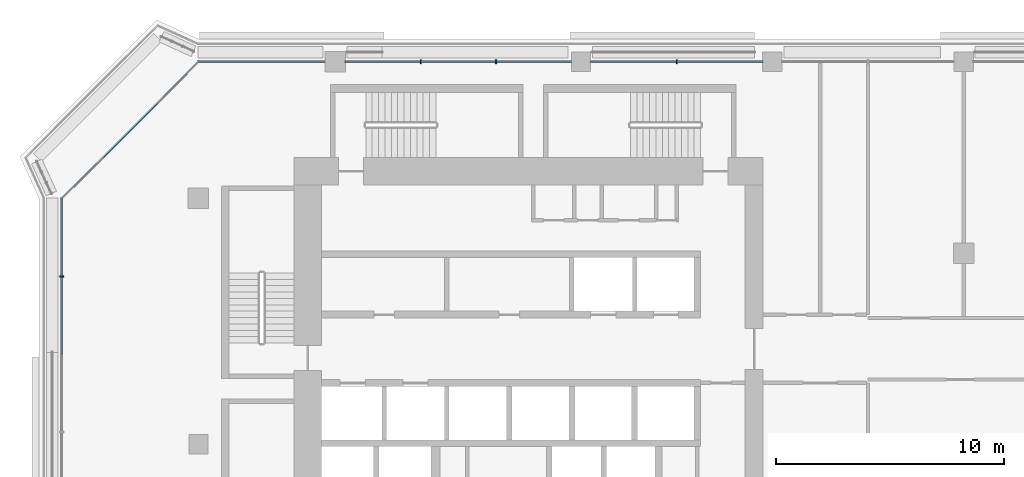
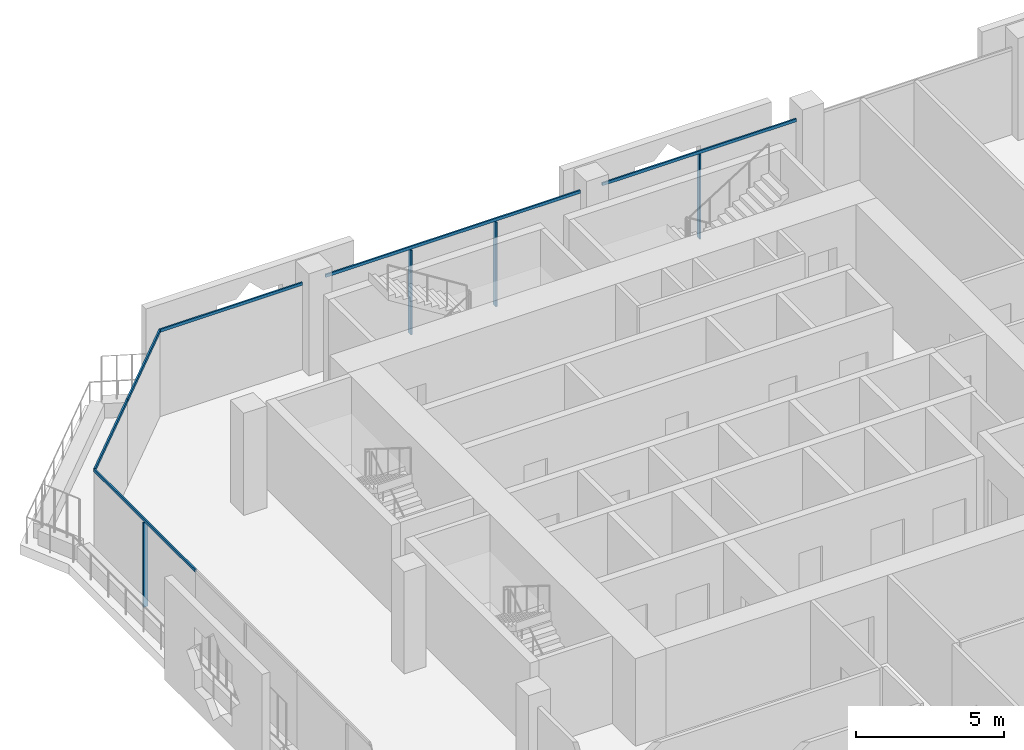
# One storey, part 5 of 21: 10 members, 3 elements without a shape of their own.
"""IFC4 building model written with IfcOpenShell, lengths in metres."""

from ifc_helpers import new_model, si_unit, direction, frame, origin, origin_2d, place, context, subcontext, project, spatial, rectangle, extrude, material, layer, layer_set, material_profile, profile_set, type_object, element, aggregate, save


model = new_model("IFC4")

# Units and contexts
model_context = context("Model", 3, precision=1e-05, world=origin(), true_north=direction((0.0, 1.0)))
body_context = subcontext(model_context, "Body", "Model", "MODEL_VIEW")
ifc_project = project(units=[si_unit("LENGTHUNIT", "METRE"), si_unit("AREAUNIT", "SQUARE_METRE"), si_unit("VOLUMEUNIT", "CUBIC_METRE"), si_unit("PLANEANGLEUNIT", "RADIAN"), si_unit("MASSUNIT", "GRAM", prefix="KILO")], contexts=[model_context])

# Site, building, storey
site_placement = place(None, origin())
site = spatial("IfcSite", under=ifc_project, at=site_placement, CompositionType="ELEMENT")
building_placement = place(site_placement, origin())
building = spatial("IfcBuilding", under=site, at=building_placement, Name="Kawkab Arch Medical Tower", CompositionType="ELEMENT")
storey_placement = place(building_placement, frame((0.0, 0.0, 234.800048828125)))
storey = spatial("IfcBuildingStorey", under=building, at=storey_placement, Name="L54", CompositionType="ELEMENT", Elevation=234.800048828125)

# Curtain wall, member
ifc_material_1 = material(Name="Bronze anodised aluminium curtain wall frame", Category="aluminium")
ifc_layer_1 = layer(ifc_material_1, 0.159912109375)
ifc_layer_set_1 = layer_set([ifc_layer_1], Name="Bronze anodised aluminium curtain wall frame")
curtain_wall_type_1 = type_object("IfcCurtainWallType", Name="CW1 ward curtain wall", PredefinedType="NOTDEFINED", material=ifc_layer_set_1)
placement = place(storey_placement, origin())
curtain_wall_1 = element("IfcCurtainWall", 1, at=placement, inside=storey, type_object=curtain_wall_type_1, Name="CW1 Ward curtain wall R01", PredefinedType="NOTDEFINED")
ifc_material_2 = material(Name="Bronze anodised aluminium curtain wall frame", Category="aluminium")
ifc_material_profile_1 = material_profile(ifc_material_2, rectangle(XDim=0.179931640625, YDim=0.06005859375, at=origin_2d()), Name="AL 60x180")
ifc_profile_set_1 = profile_set([ifc_material_profile_1], Name="Bronze anodised aluminium curtain wall frame")
member_type_1 = type_object("IfcMemberType", Name="CW1 mullion 60 x 180", PredefinedType="MULLION", material=ifc_profile_set_1)
member_1_placement = place(storey_placement, frame((-6.0, -9.419921875, 0.0), z_axis=(0.0, 0.0, 1.0), x_axis=(1.0, 0.0, 0.0)))
member_1 = element("IfcMember", 2, at=member_1_placement, type_object=member_type_1, Name="CW1 mullion 1.1", PredefinedType="MULLION", context=body_context, shape_type="SweptSolid", body=[
    extrude(rectangle(XDim=0.179931640625, YDim=0.06005859375, at=origin_2d()), origin(), (0.0, 0.0, 1.0), 3.47998046875),
])

# Curtain wall, members
curtain_wall_2 = element("IfcCurtainWall", 3, at=placement, inside=storey, type_object=curtain_wall_type_1, Name="CW1 Ward curtain wall R11", PredefinedType="NOTDEFINED")
member_2_placement = place(storey_placement, frame((21.0, 0.0, 0.0), z_axis=(0.0, 0.0, 1.0), x_axis=(0.0, -1.0, 0.0)))
member_2 = element("IfcMember", 4, at=member_2_placement, type_object=member_type_1, Name="CW1 mullion 5.1", PredefinedType="MULLION", context=body_context, shape_type="SweptSolid", body=[
    extrude(rectangle(XDim=0.179931640625, YDim=0.06005859375, at=origin_2d()), origin(), (0.0, 0.0, 1.0), 3.47998046875),
])
member_3_placement = place(storey_placement, frame((13.066650390625, 0.0, 0.0), z_axis=(0.0, 0.0, 1.0), x_axis=(0.0, -1.0, 0.0)))
member_3 = element("IfcMember", 5, at=member_3_placement, type_object=member_type_1, Name="CW1 mullion 6.1", PredefinedType="MULLION", context=body_context, shape_type="SweptSolid", body=[
    extrude(rectangle(XDim=0.179931640625, YDim=0.06005859375, at=origin_2d()), origin(), (0.0, 0.0, 1.0), 3.47998046875),
])
member_4_placement = place(storey_placement, frame((9.75830078125, 0.0, 0.0), z_axis=(0.0, 0.0, 1.0), x_axis=(0.0, -1.0, 0.0)))
member_4 = element("IfcMember", 6, at=member_4_placement, type_object=member_type_1, Name="CW1 mullion 6.2", PredefinedType="MULLION", context=body_context, shape_type="SweptSolid", body=[
    extrude(rectangle(XDim=0.179931640625, YDim=0.06005859375, at=origin_2d()), origin(), (0.0, 0.0, 1.0), 3.47998046875),
])

# Member
ifc_material_3 = material(Name="Bronze anodised aluminium curtain wall frame", Category="aluminium")
ifc_material_profile_2 = material_profile(ifc_material_3, rectangle(XDim=0.06005859375, YDim=0.1201171875, at=origin_2d()), Name="AL 60x120")
ifc_profile_set_2 = profile_set([ifc_material_profile_2], Name="Bronze anodised aluminium curtain wall frame")
member_type_2 = type_object("IfcMemberType", Name="CW1 transom 120 x 60", PredefinedType="USERDEFINED", material=ifc_profile_set_2)
member_5_placement = place(storey_placement, frame((-6.0, -6.0, 3.5400390625), z_axis=(0.0, -1.0, 0.0), x_axis=(1.0, 0.0, 0.0)))
member_5 = element("IfcMember", 7, at=member_5_placement, type_object=member_type_2, Name="CW1 transom 1", ObjectType="TRANSOM", PredefinedType="USERDEFINED", context=body_context, shape_type="SweptSolid", body=[
    extrude(rectangle(XDim=0.06005859375, YDim=0.1201171875, at=origin_2d()), origin(), (0.0, 0.0, 1.0), 6.840087890625),
])

aggregate(curtain_wall_1, [member_5, member_1])

member_6_placement = place(storey_placement, frame((24.77490234375, 0.0, 3.5400390625), z_axis=(-1.0, 0.0, 0.0), x_axis=(0.0, -1.0, 0.0)))
member_6 = element("IfcMember", 8, at=member_6_placement, type_object=member_type_2, Name="CW1 transom 5", ObjectType="TRANSOM", PredefinedType="USERDEFINED", context=body_context, shape_type="SweptSolid", body=[
    extrude(rectangle(XDim=0.06005859375, YDim=0.1201171875, at=origin_2d()), origin(), (0.0, 0.0, 1.0), 7.5498046875),
])

member_7_placement = place(storey_placement, frame((16.375, 0.0, 3.5400390625), z_axis=(-1.0, 0.0, 0.0), x_axis=(0.0, -1.0, 0.0)))
member_7 = element("IfcMember", 9, at=member_7_placement, type_object=member_type_2, Name="CW1 transom 6", ObjectType="TRANSOM", PredefinedType="USERDEFINED", context=body_context, shape_type="SweptSolid", body=[
    extrude(rectangle(XDim=0.06005859375, YDim=0.1201171875, at=origin_2d()), origin(), (0.0, 0.0, 1.0), 9.925048828125),
])

member_8_placement = place(storey_placement, frame((5.550048828125, 0.0, 3.5400390625), z_axis=(-1.0, 0.0, 0.0), x_axis=(0.0, -1.0, 0.0)))
member_8 = element("IfcMember", 10, at=member_8_placement, type_object=member_type_2, Name="CW1 transom 7", ObjectType="TRANSOM", PredefinedType="USERDEFINED", context=body_context, shape_type="SweptSolid", body=[
    extrude(rectangle(XDim=0.06005859375, YDim=0.1201171875, at=origin_2d()), origin(), (0.0, 0.0, 1.0), 5.550048828125),
])

aggregate(curtain_wall_2, [member_6, member_2, member_7, member_3, member_4, member_8])

# Curtain wall, members
ifc_material_4 = material(Name="Bronze anodised aluminium curtain wall frame", Category="aluminium")
ifc_layer_2 = layer(ifc_material_4, 0.159912109375)
ifc_layer_set_2 = layer_set([ifc_layer_2], Name="Bronze anodised aluminium curtain wall frame")
curtain_wall_type_2 = type_object("IfcCurtainWallType", Name="CW2 chamfer curtain wall", PredefinedType="NOTDEFINED", material=ifc_layer_set_2)
curtain_wall_3 = element("IfcCurtainWall", 11, at=placement, inside=storey, type_object=curtain_wall_type_2, Name="CW2 Chamfer curtain wall R12", PredefinedType="NOTDEFINED")
ifc_material_5 = material(Name="Bronze anodised aluminium curtain wall frame", Category="aluminium")
ifc_material_profile_3 = material_profile(ifc_material_5, rectangle(XDim=0.06005859375, YDim=0.139892578125, at=origin_2d()), Name="AL 60x140")
ifc_profile_set_3 = profile_set([ifc_material_profile_3], Name="Bronze anodised aluminium curtain wall frame")
member_type_3 = type_object("IfcMemberType", Name="CW2 transom 140 x 60", PredefinedType="USERDEFINED", material=ifc_profile_set_3)
member_9_placement = place(storey_placement, frame((0.0, 0.0, 3.530029296875), z_axis=(-0.707106781187, -0.707106781187, 0.0), x_axis=(0.707106781187, -0.707106781187, 0.0)))
member_9 = element("IfcMember", 12, at=member_9_placement, type_object=member_type_3, Name="CW2 transom 1", ObjectType="TRANSOM", PredefinedType="USERDEFINED", context=body_context, shape_type="SweptSolid", body=[
    extrude(rectangle(XDim=0.06005859375, YDim=0.139892578125, at=origin_2d()), origin(), (0.0, 0.0, 1.0), 4.24267578125),
])
member_10_placement = place(storey_placement, frame((-3.0, -3.0, 3.530029296875), z_axis=(-0.707106781187, -0.707106781187, 0.0), x_axis=(0.707106781187, -0.707106781187, 0.0)))
member_10 = element("IfcMember", 13, at=member_10_placement, type_object=member_type_3, Name="CW2 transom 2", ObjectType="TRANSOM", PredefinedType="USERDEFINED", context=body_context, shape_type="SweptSolid", body=[
    extrude(rectangle(XDim=0.06005859375, YDim=0.139892578125, at=origin_2d()), origin(), (0.0, 0.0, 1.0), 4.24267578125),
])
aggregate(curtain_wall_3, [member_9, member_10])

save(model, "model.ifc")
